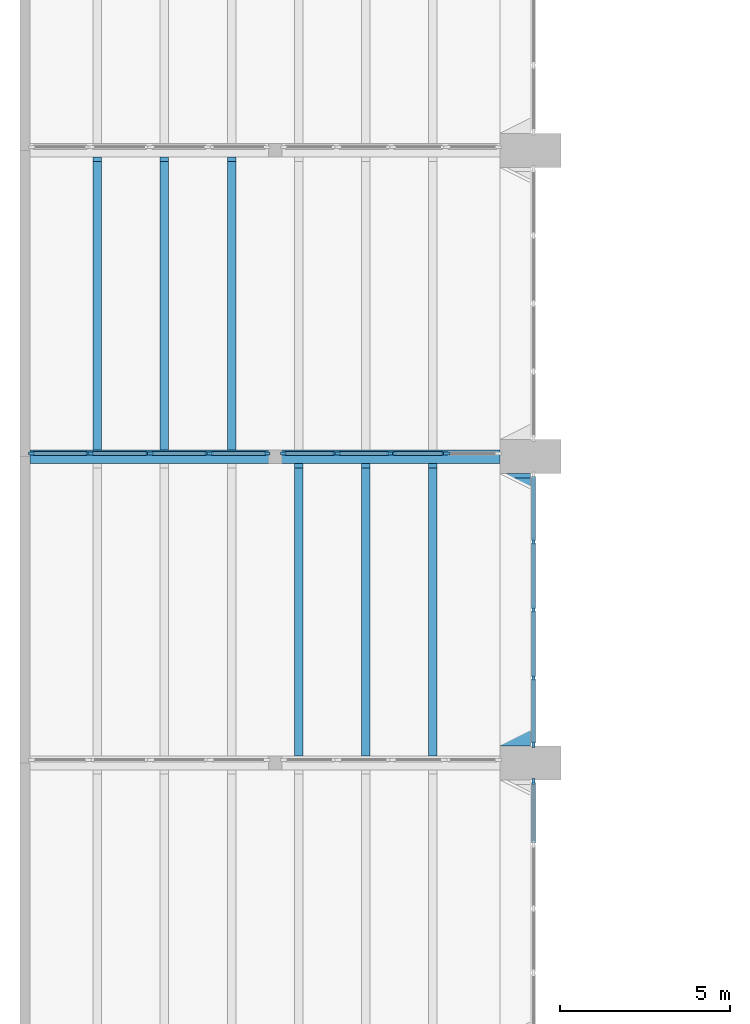
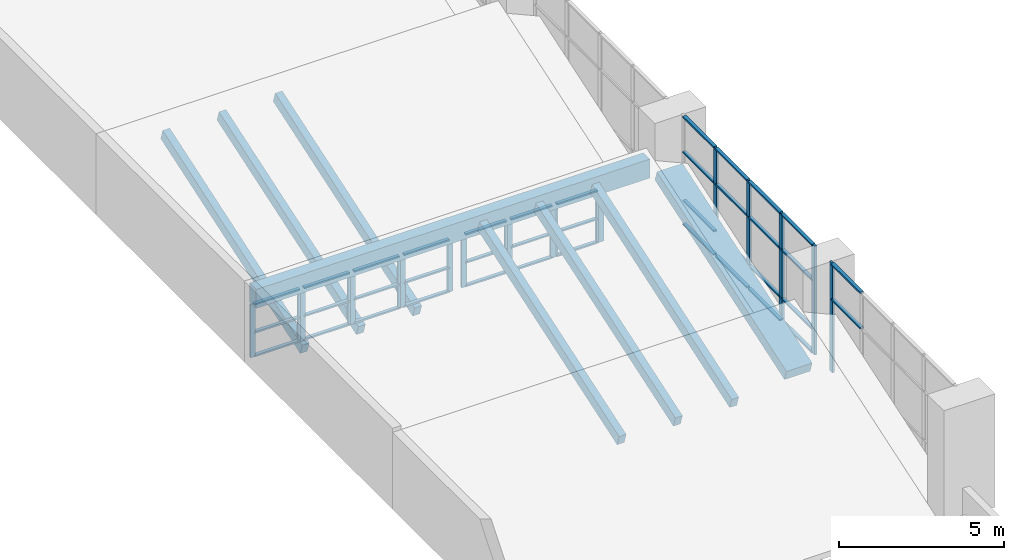
# One storey, part 4 of 43: 59 members, 8 beams, 10 elements without a shape of their own.
"""IFC4 building model written with IfcOpenShell, lengths in metres."""

from ifc_helpers import new_model, si_unit, direction, frame, origin, origin_2d, place, context, subcontext, project, spatial, rectangle, extrude, material, material_profile, profile_set, type_object, element, aggregate, save


model = new_model("IFC4")

# Units and contexts
model_context = context("Model", 3, precision=1e-05, world=origin(), true_north=direction((0.0, 1.0)))
body_context = subcontext(model_context, "Body", "Model", "MODEL_VIEW")
ifc_project = project(units=[si_unit("LENGTHUNIT", "METRE"), si_unit("AREAUNIT", "SQUARE_METRE"), si_unit("VOLUMEUNIT", "CUBIC_METRE"), si_unit("PLANEANGLEUNIT", "RADIAN"), si_unit("MASSUNIT", "GRAM", prefix="KILO")], contexts=[model_context])

# Site, building, storey
site_placement = place(None, origin())
site = spatial("IfcSite", under=ifc_project, at=site_placement, CompositionType="ELEMENT")
building_placement = place(site_placement, origin())
building = spatial("IfcBuilding", under=site, at=building_placement, Name="Elmora Arch Market Hall", CompositionType="ELEMENT")
storey_placement = place(building_placement, frame((0.0, 0.0, 10.199951171875)))
storey = spatial("IfcBuildingStorey", under=building, at=storey_placement, Name="L02", CompositionType="ELEMENT", Elevation=10.199951171875)

# Curtain wall, member
ifc_material_1 = material(Name="Aluminium", Category="aluminium")
curtain_wall_type_1 = type_object("IfcCurtainWallType", Name="Hall front curtain wall", PredefinedType="NOTDEFINED", material=ifc_material_1)
curtain_wall_1_placement = place(storey_placement, origin())
curtain_wall_1 = element("IfcCurtainWall", 1, at=curtain_wall_1_placement, inside=storey, type_object=curtain_wall_type_1, Name="Hall west glazing L02 1", PredefinedType="NOTDEFINED")
ifc_material_2 = material(Name="Aluminium", Category="aluminium")
ifc_material_profile_1 = material_profile(ifc_material_2, rectangle(XDim=0.080078125, YDim=0.179931640625, at=origin_2d()), Name="AL 80x180")
ifc_profile_set_1 = profile_set([ifc_material_profile_1], Name="Aluminium")
member_type_1 = type_object("IfcMemberType", Name="Mullion 80x180", PredefinedType="MULLION", material=ifc_profile_set_1)
member_1_placement = place(storey_placement, frame((15.090087890625, 35.4599609375, 0.166748046875), z_axis=(0.0, 0.0, 1.0), x_axis=(-1.0, 0.0, 0.0)))
member_1 = element("IfcMember", 2, at=member_1_placement, type_object=member_type_1, Name="CW2 mullion 5", PredefinedType="MULLION", context=body_context, shape_type="SweptSolid", body=[
    extrude(rectangle(XDim=0.080078125, YDim=0.179931640625, at=origin_2d()), origin(), (0.0, 0.0, 1.0), 4.033203125),
])

# Curtain wall, members
curtain_wall_2_placement = place(storey_placement, origin())
curtain_wall_2 = element("IfcCurtainWall", 3, at=curtain_wall_2_placement, inside=storey, type_object=curtain_wall_type_1, Name="Hall west glazing L02 2", PredefinedType="NOTDEFINED")
member_2_placement = place(storey_placement, frame((15.090087890625, 36.5400390625, 0.166748046875), z_axis=(0.0, 0.0, 1.0), x_axis=(-1.0, 0.0, 0.0)))
member_2 = element("IfcMember", 4, at=member_2_placement, type_object=member_type_1, Name="CW2 mullion 1", PredefinedType="MULLION", context=body_context, shape_type="SweptSolid", body=[
    extrude(rectangle(XDim=0.080078125, YDim=0.179931640625, at=origin_2d()), origin(), (0.0, 0.0, 1.0), 4.033203125),
])
member_3_placement = place(storey_placement, frame((15.090087890625, 38.5, 0.166748046875), z_axis=(0.0, 0.0, 1.0), x_axis=(-1.0, 0.0, 0.0)))
member_3 = element("IfcMember", 5, at=member_3_placement, type_object=member_type_1, Name="CW2 mullion 2", PredefinedType="MULLION", context=body_context, shape_type="SweptSolid", body=[
    extrude(rectangle(XDim=0.080078125, YDim=0.179931640625, at=origin_2d()), origin(), (0.0, 0.0, 1.0), 4.033203125),
])
member_4_placement = place(storey_placement, frame((15.090087890625, 40.5, 0.166748046875), z_axis=(0.0, 0.0, 1.0), x_axis=(-1.0, 0.0, 0.0)))
member_4 = element("IfcMember", 6, at=member_4_placement, type_object=member_type_1, Name="CW2 mullion 3", PredefinedType="MULLION", context=body_context, shape_type="SweptSolid", body=[
    extrude(rectangle(XDim=0.080078125, YDim=0.179931640625, at=origin_2d()), origin(), (0.0, 0.0, 1.0), 4.033203125),
])
member_5_placement = place(storey_placement, frame((15.090087890625, 42.5, 0.166748046875), z_axis=(0.0, 0.0, 1.0), x_axis=(-1.0, 0.0, 0.0)))
member_5 = element("IfcMember", 7, at=member_5_placement, type_object=member_type_1, Name="CW2 mullion 4", PredefinedType="MULLION", context=body_context, shape_type="SweptSolid", body=[
    extrude(rectangle(XDim=0.080078125, YDim=0.179931640625, at=origin_2d()), origin(), (0.0, 0.0, 1.0), 4.033203125),
])

ifc_material_3 = material(Name="Aluminium", Category="aluminium")
curtain_wall_type_2 = type_object("IfcCurtainWallType", Name="Sawtooth glazing curtain wall", PredefinedType="NOTDEFINED", material=ifc_material_3)
curtain_wall_3_placement = place(storey_placement, origin())
curtain_wall_3 = element("IfcCurtainWall", 8, at=curtain_wall_3_placement, inside=storey, type_object=curtain_wall_type_2, Name="Sawtooth riser 2 part 1.1", PredefinedType="NOTDEFINED")
member_6_placement = place(storey_placement, frame((0.340087890625, 45.090087890625, 0.030029296875), z_axis=(0.0, 0.0, 1.0), x_axis=(0.0, 1.0, 0.0)))
member_6 = element("IfcMember", 9, at=member_6_placement, type_object=member_type_1, Name="CW7 mullion 1", PredefinedType="MULLION", context=body_context, shape_type="SweptSolid", body=[
    extrude(rectangle(XDim=0.080078125, YDim=0.179931640625, at=origin_2d()), origin(), (0.0, 0.0, 1.0), 1.969970703125),
])
member_7_placement = place(storey_placement, frame((2.010009765625, 45.090087890625, 0.030029296875), z_axis=(0.0, 0.0, 1.0), x_axis=(0.0, 1.0, 0.0)))
member_7 = element("IfcMember", 10, at=member_7_placement, type_object=member_type_1, Name="CW7 mullion 2", PredefinedType="MULLION", context=body_context, shape_type="SweptSolid", body=[
    extrude(rectangle(XDim=0.080078125, YDim=0.179931640625, at=origin_2d()), origin(), (0.0, 0.0, 1.0), 1.969970703125),
])

curtain_wall_4_placement = place(storey_placement, origin())
curtain_wall_4 = element("IfcCurtainWall", 11, at=curtain_wall_4_placement, inside=storey, type_object=curtain_wall_type_2, Name="Sawtooth riser 2 part 1.2", PredefinedType="NOTDEFINED")
member_8_placement = place(storey_placement, frame((2.090087890625, 45.090087890625, 0.030029296875), z_axis=(0.0, 0.0, 1.0), x_axis=(0.0, 1.0, 0.0)))
member_8 = element("IfcMember", 12, at=member_8_placement, type_object=member_type_1, Name="CW7 mullion 1", PredefinedType="MULLION", context=body_context, shape_type="SweptSolid", body=[
    extrude(rectangle(XDim=0.080078125, YDim=0.179931640625, at=origin_2d()), origin(), (0.0, 0.0, 1.0), 1.969970703125),
])
member_9_placement = place(storey_placement, frame((3.760009765625, 45.090087890625, 0.030029296875), z_axis=(0.0, 0.0, 1.0), x_axis=(0.0, 1.0, 0.0)))
member_9 = element("IfcMember", 13, at=member_9_placement, type_object=member_type_1, Name="CW7 mullion 2", PredefinedType="MULLION", context=body_context, shape_type="SweptSolid", body=[
    extrude(rectangle(XDim=0.080078125, YDim=0.179931640625, at=origin_2d()), origin(), (0.0, 0.0, 1.0), 1.969970703125),
])

curtain_wall_5_placement = place(storey_placement, origin())
curtain_wall_5 = element("IfcCurtainWall", 14, at=curtain_wall_5_placement, inside=storey, type_object=curtain_wall_type_2, Name="Sawtooth riser 2 part 1.3", PredefinedType="NOTDEFINED")
member_10_placement = place(storey_placement, frame((3.840087890625, 45.090087890625, 0.030029296875), z_axis=(0.0, 0.0, 1.0), x_axis=(0.0, 1.0, 0.0)))
member_10 = element("IfcMember", 15, at=member_10_placement, type_object=member_type_1, Name="CW7 mullion 1", PredefinedType="MULLION", context=body_context, shape_type="SweptSolid", body=[
    extrude(rectangle(XDim=0.080078125, YDim=0.179931640625, at=origin_2d()), origin(), (0.0, 0.0, 1.0), 1.969970703125),
])
member_11_placement = place(storey_placement, frame((5.510009765625, 45.090087890625, 0.030029296875), z_axis=(0.0, 0.0, 1.0), x_axis=(0.0, 1.0, 0.0)))
member_11 = element("IfcMember", 16, at=member_11_placement, type_object=member_type_1, Name="CW7 mullion 2", PredefinedType="MULLION", context=body_context, shape_type="SweptSolid", body=[
    extrude(rectangle(XDim=0.080078125, YDim=0.179931640625, at=origin_2d()), origin(), (0.0, 0.0, 1.0), 1.969970703125),
])

curtain_wall_6_placement = place(storey_placement, origin())
curtain_wall_6 = element("IfcCurtainWall", 17, at=curtain_wall_6_placement, inside=storey, type_object=curtain_wall_type_2, Name="Sawtooth riser 2 part 1.4", PredefinedType="NOTDEFINED")
member_12_placement = place(storey_placement, frame((5.590087890625, 45.090087890625, 0.030029296875), z_axis=(0.0, 0.0, 1.0), x_axis=(0.0, 1.0, 0.0)))
member_12 = element("IfcMember", 18, at=member_12_placement, type_object=member_type_1, Name="CW7 mullion 1", PredefinedType="MULLION", context=body_context, shape_type="SweptSolid", body=[
    extrude(rectangle(XDim=0.080078125, YDim=0.179931640625, at=origin_2d()), origin(), (0.0, 0.0, 1.0), 1.969970703125),
])
member_13_placement = place(storey_placement, frame((7.260009765625, 45.090087890625, 0.030029296875), z_axis=(0.0, 0.0, 1.0), x_axis=(0.0, 1.0, 0.0)))
member_13 = element("IfcMember", 19, at=member_13_placement, type_object=member_type_1, Name="CW7 mullion 2", PredefinedType="MULLION", context=body_context, shape_type="SweptSolid", body=[
    extrude(rectangle(XDim=0.080078125, YDim=0.179931640625, at=origin_2d()), origin(), (0.0, 0.0, 1.0), 1.969970703125),
])

curtain_wall_7_placement = place(storey_placement, origin())
curtain_wall_7 = element("IfcCurtainWall", 20, at=curtain_wall_7_placement, inside=storey, type_object=curtain_wall_type_2, Name="Sawtooth riser 2 part 2.1", PredefinedType="NOTDEFINED")
member_14_placement = place(storey_placement, frame((7.739990234375, 45.090087890625, 0.030029296875), z_axis=(0.0, 0.0, 1.0), x_axis=(0.0, 1.0, 0.0)))
member_14 = element("IfcMember", 21, at=member_14_placement, type_object=member_type_1, Name="CW7 mullion 1", PredefinedType="MULLION", context=body_context, shape_type="SweptSolid", body=[
    extrude(rectangle(XDim=0.080078125, YDim=0.179931640625, at=origin_2d()), origin(), (0.0, 0.0, 1.0), 1.969970703125),
])
member_15_placement = place(storey_placement, frame((9.260009765625, 45.090087890625, 0.030029296875), z_axis=(0.0, 0.0, 1.0), x_axis=(0.0, 1.0, 0.0)))
member_15 = element("IfcMember", 22, at=member_15_placement, type_object=member_type_1, Name="CW7 mullion 2", PredefinedType="MULLION", context=body_context, shape_type="SweptSolid", body=[
    extrude(rectangle(XDim=0.080078125, YDim=0.179931640625, at=origin_2d()), origin(), (0.0, 0.0, 1.0), 1.969970703125),
])

curtain_wall_8_placement = place(storey_placement, origin())
curtain_wall_8 = element("IfcCurtainWall", 23, at=curtain_wall_8_placement, inside=storey, type_object=curtain_wall_type_2, Name="Sawtooth riser 2 part 2.2", PredefinedType="NOTDEFINED")
member_16_placement = place(storey_placement, frame((9.340087890625, 45.090087890625, 0.030029296875), z_axis=(0.0, 0.0, 1.0), x_axis=(0.0, 1.0, 0.0)))
member_16 = element("IfcMember", 24, at=member_16_placement, type_object=member_type_1, Name="CW7 mullion 1", PredefinedType="MULLION", context=body_context, shape_type="SweptSolid", body=[
    extrude(rectangle(XDim=0.080078125, YDim=0.179931640625, at=origin_2d()), origin(), (0.0, 0.0, 1.0), 1.969970703125),
])
member_17_placement = place(storey_placement, frame((10.860107421875, 45.090087890625, 0.030029296875), z_axis=(0.0, 0.0, 1.0), x_axis=(0.0, 1.0, 0.0)))
member_17 = element("IfcMember", 25, at=member_17_placement, type_object=member_type_1, Name="CW7 mullion 2", PredefinedType="MULLION", context=body_context, shape_type="SweptSolid", body=[
    extrude(rectangle(XDim=0.080078125, YDim=0.179931640625, at=origin_2d()), origin(), (0.0, 0.0, 1.0), 1.969970703125),
])

curtain_wall_9_placement = place(storey_placement, origin())
curtain_wall_9 = element("IfcCurtainWall", 26, at=curtain_wall_9_placement, inside=storey, type_object=curtain_wall_type_2, Name="Sawtooth riser 2 part 2.3", PredefinedType="NOTDEFINED")
member_18_placement = place(storey_placement, frame((10.93994140625, 45.090087890625, 0.030029296875), z_axis=(0.0, 0.0, 1.0), x_axis=(0.0, 1.0, 0.0)))
member_18 = element("IfcMember", 27, at=member_18_placement, type_object=member_type_1, Name="CW7 mullion 1", PredefinedType="MULLION", context=body_context, shape_type="SweptSolid", body=[
    extrude(rectangle(XDim=0.080078125, YDim=0.179931640625, at=origin_2d()), origin(), (0.0, 0.0, 1.0), 1.969970703125),
])
member_19_placement = place(storey_placement, frame((12.4599609375, 45.090087890625, 0.030029296875), z_axis=(0.0, 0.0, 1.0), x_axis=(0.0, 1.0, 0.0)))
member_19 = element("IfcMember", 28, at=member_19_placement, type_object=member_type_1, Name="CW7 mullion 2", PredefinedType="MULLION", context=body_context, shape_type="SweptSolid", body=[
    extrude(rectangle(XDim=0.080078125, YDim=0.179931640625, at=origin_2d()), origin(), (0.0, 0.0, 1.0), 1.969970703125),
])

# Curtain wall, member
curtain_wall_10_placement = place(storey_placement, origin())
curtain_wall_10 = element("IfcCurtainWall", 29, at=curtain_wall_10_placement, inside=storey, type_object=curtain_wall_type_2, Name="Sawtooth riser 2 part 2.4", PredefinedType="NOTDEFINED")
member_20_placement = place(storey_placement, frame((12.5400390625, 45.090087890625, 0.030029296875), z_axis=(0.0, 0.0, 1.0), x_axis=(0.0, 1.0, 0.0)))
member_20 = element("IfcMember", 30, at=member_20_placement, type_object=member_type_1, Name="CW7 mullion 1", PredefinedType="MULLION", context=body_context, shape_type="SweptSolid", body=[
    extrude(rectangle(XDim=0.080078125, YDim=0.179931640625, at=origin_2d()), origin(), (0.0, 0.0, 1.0), 1.969970703125),
])
aggregate(curtain_wall_10, [member_20])

# Beams
ifc_material_4 = material(Name="Concrete C32/40", Category="concrete")
ifc_material_profile_2 = material_profile(ifc_material_4, rectangle(XDim=0.39990234375, YDim=0.699951171875, at=origin_2d()), Name="Ridge beam 400x700")
ifc_profile_set_2 = profile_set([ifc_material_profile_2], Name="Concrete C32/40")
beam_type_1 = type_object("IfcBeamType", Name="Ridge beam 400x700", PredefinedType="BEAM", material=ifc_profile_set_2)
beam_1_placement = place(storey_placement, frame((0.300048828125, 45.0, 2.35009765625), z_axis=(1.0, 0.0, 0.0), x_axis=(0.0, 1.0, 0.0)))
element("IfcBeam", 31, at=beam_1_placement, inside=storey, type_object=beam_type_1, Name="Ridge beam RB2 L02.1", PredefinedType="BEAM", context=body_context, shape_type="SweptSolid", body=[
    extrude(rectangle(XDim=0.39990234375, YDim=0.699951171875, at=origin_2d()), origin(), (0.0, 0.0, 1.0), 13.800048828125),
])
ifc_material_5 = material(Name="Concrete C32/40", Category="concrete")
ifc_material_profile_3 = material_profile(ifc_material_5, rectangle(XDim=0.89990234375, YDim=0.39990234375, at=origin_2d()), Name="Sawtooth edge beam 900x400")
ifc_profile_set_3 = profile_set([ifc_material_profile_3], Name="Concrete C32/40")
beam_type_2 = type_object("IfcBeamType", Name="Sawtooth edge beam 900x400", PredefinedType="BEAM", material=ifc_profile_set_3)
beam_2_placement = place(storey_placement, frame((14.550048828125, 36.563232421875, -0.322998046875), z_axis=(0.0, 0.948683298051, 0.316227766017), x_axis=(-1.0, 0.0, 0.0)))
element("IfcBeam", 32, at=beam_2_placement, inside=storey, type_object=beam_type_2, Name="Sawtooth edge beam 2", PredefinedType="BEAM", context=body_context, shape_type="SweptSolid", body=[
    extrude(rectangle(XDim=0.89990234375, YDim=0.39990234375, at=origin_2d()), origin(), (0.0, 0.0, 1.0), 8.29931640625),
])
ifc_material_6 = material(Name="Concrete C32/40", Category="concrete")
ifc_material_profile_4 = material_profile(ifc_material_6, rectangle(XDim=0.25, YDim=0.39990234375, at=origin_2d()), Name="Sawtooth rafter 250x400")
ifc_profile_set_4 = profile_set([ifc_material_profile_4], Name="Concrete C32/40")
beam_type_3 = type_object("IfcBeamType", Name="Sawtooth rafter 250x400", PredefinedType="BEAM", material=ifc_profile_set_4)
for number, where, z_axis, x_axis, name in (
    (33, (8.185791015625, 36.26318359375, -0.443115234375), (0.0, 0.94868603135, 0.316219565999), (-1.0, 0.0, 0.0), "Sawtooth rafter 2.4"),
    (34, (10.156982421875, 36.26318359375, -0.443115234375), (0.0, 0.94868603135, 0.316219565999), (-1.0, 0.0, 0.0), "Sawtooth rafter 2.5"),
    (35, (12.128662109375, 36.26318359375, -0.443115234375), (0.0, 0.94868603135, 0.316219565999), (-1.0, 0.0, 0.0), "Sawtooth rafter 2.6"),
    (36, (2.271484375, 45.26318359375, -0.443115234375), (0.0, 0.94868603135, 0.316219565999), (-1.0, 0.0, 0.0), "Sawtooth rafter 3.1"),
    (37, (4.242919921875, 45.26318359375, -0.443115234375), (0.0, 0.94868603135, 0.316219565999), (-1.0, 0.0, 0.0), "Sawtooth rafter 3.2"),
    (38, (6.21435546875, 45.26318359375, -0.443115234375), (0.0, 0.94868603135, 0.316219565999), (-1.0, 0.0, 0.0), "Sawtooth rafter 3.3"),
):
    element("IfcBeam", number, at=place(storey_placement, frame(where, z_axis=z_axis, x_axis=x_axis)), inside=storey, type_object=beam_type_3, Name=name, PredefinedType="BEAM", context=body_context, shape_type="SweptSolid", body=[
        extrude(rectangle(XDim=0.25, YDim=0.39990234375, at=origin_2d()), origin(), (0.0, 0.0, 1.0), 8.931884765625),
    ])

# Member
ifc_material_7 = material(Name="Aluminium", Category="aluminium")
ifc_material_profile_5 = material_profile(ifc_material_7, rectangle(XDim=0.1201171875, YDim=0.06005859375, at=origin_2d()), Name="AL 120x60")
ifc_profile_set_5 = profile_set([ifc_material_profile_5], Name="Aluminium")
member_type_2 = type_object("IfcMemberType", Name="Transom 120x60", PredefinedType="USERDEFINED", material=ifc_profile_set_5)
member_21_placement = place(storey_placement, frame((15.090087890625, 33.652587890625, 2.86669921875), z_axis=(0.0, 1.0, 0.0), x_axis=(-1.0, 0.0, 0.0)))
member_21 = element("IfcMember", 39, at=member_21_placement, type_object=member_type_2, Name="CW2 transom 4.3", ObjectType="TRANSOM", PredefinedType="USERDEFINED", context=body_context, shape_type="SweptSolid", body=[
    extrude(rectangle(XDim=0.1201171875, YDim=0.06005859375, at=origin_2d()), origin(), (0.0, 0.0, 1.0), 1.767333984375),
])

member_22_placement = place(storey_placement, frame((15.090087890625, 33.652587890625, 4.170166015625), z_axis=(0.0, 1.0, 0.0), x_axis=(-1.0, 0.0, 0.0)))
member_22 = element("IfcMember", 40, at=member_22_placement, type_object=member_type_2, Name="CW2 transom 4.4", ObjectType="TRANSOM", PredefinedType="USERDEFINED", context=body_context, shape_type="SweptSolid", body=[
    extrude(rectangle(XDim=0.1201171875, YDim=0.06005859375, at=origin_2d()), origin(), (0.0, 0.0, 1.0), 1.767333984375),
])

aggregate(curtain_wall_1, [member_1, member_21, member_22])

member_23_placement = place(storey_placement, frame((15.090087890625, 36.580078125, 0.19677734375), z_axis=(0.0, 1.0, 0.0), x_axis=(-1.0, 0.0, 0.0)))
member_23 = element("IfcMember", 41, at=member_23_placement, type_object=member_type_2, Name="CW2 transom 1.1", ObjectType="TRANSOM", PredefinedType="USERDEFINED", context=body_context, shape_type="SweptSolid", body=[
    extrude(rectangle(XDim=0.1201171875, YDim=0.06005859375, at=origin_2d()), origin(), (0.0, 0.0, 1.0), 1.8798828125),
])

member_24_placement = place(storey_placement, frame((15.090087890625, 36.580078125, 1.066650390625), z_axis=(0.0, 1.0, 0.0), x_axis=(-1.0, 0.0, 0.0)))
member_24 = element("IfcMember", 42, at=member_24_placement, type_object=member_type_2, Name="CW2 transom 1.2", ObjectType="TRANSOM", PredefinedType="USERDEFINED", context=body_context, shape_type="SweptSolid", body=[
    extrude(rectangle(XDim=0.1201171875, YDim=0.06005859375, at=origin_2d()), origin(), (0.0, 0.0, 1.0), 1.8798828125),
])

member_25_placement = place(storey_placement, frame((15.090087890625, 36.580078125, 2.86669921875), z_axis=(0.0, 1.0, 0.0), x_axis=(-1.0, 0.0, 0.0)))
member_25 = element("IfcMember", 43, at=member_25_placement, type_object=member_type_2, Name="CW2 transom 1.3", ObjectType="TRANSOM", PredefinedType="USERDEFINED", context=body_context, shape_type="SweptSolid", body=[
    extrude(rectangle(XDim=0.1201171875, YDim=0.06005859375, at=origin_2d()), origin(), (0.0, 0.0, 1.0), 1.8798828125),
])

member_26_placement = place(storey_placement, frame((15.090087890625, 36.580078125, 4.170166015625), z_axis=(0.0, 1.0, 0.0), x_axis=(-1.0, 0.0, 0.0)))
member_26 = element("IfcMember", 44, at=member_26_placement, type_object=member_type_2, Name="CW2 transom 1.4", ObjectType="TRANSOM", PredefinedType="USERDEFINED", context=body_context, shape_type="SweptSolid", body=[
    extrude(rectangle(XDim=0.1201171875, YDim=0.06005859375, at=origin_2d()), origin(), (0.0, 0.0, 1.0), 1.8798828125),
])

member_27_placement = place(storey_placement, frame((15.090087890625, 38.5400390625, 0.19677734375), z_axis=(0.0, 1.0, 0.0), x_axis=(-1.0, 0.0, 0.0)))
member_27 = element("IfcMember", 45, at=member_27_placement, type_object=member_type_2, Name="CW2 transom 2.1", ObjectType="TRANSOM", PredefinedType="USERDEFINED", context=body_context, shape_type="SweptSolid", body=[
    extrude(rectangle(XDim=0.1201171875, YDim=0.06005859375, at=origin_2d()), origin(), (0.0, 0.0, 1.0), 1.919921875),
])

member_28_placement = place(storey_placement, frame((15.090087890625, 38.5400390625, 1.066650390625), z_axis=(0.0, 1.0, 0.0), x_axis=(-1.0, 0.0, 0.0)))
member_28 = element("IfcMember", 46, at=member_28_placement, type_object=member_type_2, Name="CW2 transom 2.2", ObjectType="TRANSOM", PredefinedType="USERDEFINED", context=body_context, shape_type="SweptSolid", body=[
    extrude(rectangle(XDim=0.1201171875, YDim=0.06005859375, at=origin_2d()), origin(), (0.0, 0.0, 1.0), 1.919921875),
])

member_29_placement = place(storey_placement, frame((15.090087890625, 38.5400390625, 2.86669921875), z_axis=(0.0, 1.0, 0.0), x_axis=(-1.0, 0.0, 0.0)))
member_29 = element("IfcMember", 47, at=member_29_placement, type_object=member_type_2, Name="CW2 transom 2.3", ObjectType="TRANSOM", PredefinedType="USERDEFINED", context=body_context, shape_type="SweptSolid", body=[
    extrude(rectangle(XDim=0.1201171875, YDim=0.06005859375, at=origin_2d()), origin(), (0.0, 0.0, 1.0), 1.919921875),
])

member_30_placement = place(storey_placement, frame((15.090087890625, 38.5400390625, 4.170166015625), z_axis=(0.0, 1.0, 0.0), x_axis=(-1.0, 0.0, 0.0)))
member_30 = element("IfcMember", 48, at=member_30_placement, type_object=member_type_2, Name="CW2 transom 2.4", ObjectType="TRANSOM", PredefinedType="USERDEFINED", context=body_context, shape_type="SweptSolid", body=[
    extrude(rectangle(XDim=0.1201171875, YDim=0.06005859375, at=origin_2d()), origin(), (0.0, 0.0, 1.0), 1.919921875),
])

member_31_placement = place(storey_placement, frame((15.090087890625, 40.5400390625, 0.19677734375), z_axis=(0.0, 1.0, 0.0), x_axis=(-1.0, 0.0, 0.0)))
member_31 = element("IfcMember", 49, at=member_31_placement, type_object=member_type_2, Name="CW2 transom 3.1", ObjectType="TRANSOM", PredefinedType="USERDEFINED", context=body_context, shape_type="SweptSolid", body=[
    extrude(rectangle(XDim=0.1201171875, YDim=0.06005859375, at=origin_2d()), origin(), (0.0, 0.0, 1.0), 1.919921875),
])

member_32_placement = place(storey_placement, frame((15.090087890625, 40.5400390625, 1.066650390625), z_axis=(0.0, 1.0, 0.0), x_axis=(-1.0, 0.0, 0.0)))
member_32 = element("IfcMember", 50, at=member_32_placement, type_object=member_type_2, Name="CW2 transom 3.2", ObjectType="TRANSOM", PredefinedType="USERDEFINED", context=body_context, shape_type="SweptSolid", body=[
    extrude(rectangle(XDim=0.1201171875, YDim=0.06005859375, at=origin_2d()), origin(), (0.0, 0.0, 1.0), 1.919921875),
])

member_33_placement = place(storey_placement, frame((15.090087890625, 40.5400390625, 2.86669921875), z_axis=(0.0, 1.0, 0.0), x_axis=(-1.0, 0.0, 0.0)))
member_33 = element("IfcMember", 51, at=member_33_placement, type_object=member_type_2, Name="CW2 transom 3.3", ObjectType="TRANSOM", PredefinedType="USERDEFINED", context=body_context, shape_type="SweptSolid", body=[
    extrude(rectangle(XDim=0.1201171875, YDim=0.06005859375, at=origin_2d()), origin(), (0.0, 0.0, 1.0), 1.919921875),
])

member_34_placement = place(storey_placement, frame((15.090087890625, 40.5400390625, 4.170166015625), z_axis=(0.0, 1.0, 0.0), x_axis=(-1.0, 0.0, 0.0)))
member_34 = element("IfcMember", 52, at=member_34_placement, type_object=member_type_2, Name="CW2 transom 3.4", ObjectType="TRANSOM", PredefinedType="USERDEFINED", context=body_context, shape_type="SweptSolid", body=[
    extrude(rectangle(XDim=0.1201171875, YDim=0.06005859375, at=origin_2d()), origin(), (0.0, 0.0, 1.0), 1.919921875),
])

member_35_placement = place(storey_placement, frame((15.090087890625, 42.5400390625, 0.19677734375), z_axis=(0.0, 1.0, 0.0), x_axis=(-1.0, 0.0, 0.0)))
member_35 = element("IfcMember", 53, at=member_35_placement, type_object=member_type_2, Name="CW2 transom 4.1", ObjectType="TRANSOM", PredefinedType="USERDEFINED", context=body_context, shape_type="SweptSolid", body=[
    extrude(rectangle(XDim=0.1201171875, YDim=0.06005859375, at=origin_2d()), origin(), (0.0, 0.0, 1.0), 1.8798828125),
])

member_36_placement = place(storey_placement, frame((15.090087890625, 42.5400390625, 1.066650390625), z_axis=(0.0, 1.0, 0.0), x_axis=(-1.0, 0.0, 0.0)))
member_36 = element("IfcMember", 54, at=member_36_placement, type_object=member_type_2, Name="CW2 transom 4.2", ObjectType="TRANSOM", PredefinedType="USERDEFINED", context=body_context, shape_type="SweptSolid", body=[
    extrude(rectangle(XDim=0.1201171875, YDim=0.06005859375, at=origin_2d()), origin(), (0.0, 0.0, 1.0), 1.8798828125),
])

member_37_placement = place(storey_placement, frame((15.090087890625, 42.5400390625, 2.86669921875), z_axis=(0.0, 1.0, 0.0), x_axis=(-1.0, 0.0, 0.0)))
member_37 = element("IfcMember", 55, at=member_37_placement, type_object=member_type_2, Name="CW2 transom 4.3", ObjectType="TRANSOM", PredefinedType="USERDEFINED", context=body_context, shape_type="SweptSolid", body=[
    extrude(rectangle(XDim=0.1201171875, YDim=0.06005859375, at=origin_2d()), origin(), (0.0, 0.0, 1.0), 1.8798828125),
])

member_38_placement = place(storey_placement, frame((15.090087890625, 42.5400390625, 4.170166015625), z_axis=(0.0, 1.0, 0.0), x_axis=(-1.0, 0.0, 0.0)))
member_38 = element("IfcMember", 56, at=member_38_placement, type_object=member_type_2, Name="CW2 transom 4.4", ObjectType="TRANSOM", PredefinedType="USERDEFINED", context=body_context, shape_type="SweptSolid", body=[
    extrude(rectangle(XDim=0.1201171875, YDim=0.06005859375, at=origin_2d()), origin(), (0.0, 0.0, 1.0), 1.8798828125),
])

aggregate(curtain_wall_2, [member_2, member_3, member_4, member_5, member_23, member_24, member_25, member_26, member_27, member_28, member_29, member_30, member_31, member_32, member_33, member_34, member_35, member_36, member_37, member_38])

member_39_placement = place(storey_placement, frame((0.3798828125, 45.090087890625, 0.06005859375), z_axis=(1.0, 0.0, 0.0), x_axis=(0.0, 1.0, 0.0)))
member_39 = element("IfcMember", 57, at=member_39_placement, type_object=member_type_2, Name="CW7 transom 1.1", ObjectType="TRANSOM", PredefinedType="USERDEFINED", context=body_context, shape_type="SweptSolid", body=[
    extrude(rectangle(XDim=0.1201171875, YDim=0.06005859375, at=origin_2d()), origin(), (0.0, 0.0, 1.0), 1.590087890625),
])

member_40_placement = place(storey_placement, frame((0.3798828125, 45.090087890625, 0.929931640625), z_axis=(1.0, 0.0, 0.0), x_axis=(0.0, 1.0, 0.0)))
member_40 = element("IfcMember", 58, at=member_40_placement, type_object=member_type_2, Name="CW7 transom 1.2", ObjectType="TRANSOM", PredefinedType="USERDEFINED", context=body_context, shape_type="SweptSolid", body=[
    extrude(rectangle(XDim=0.1201171875, YDim=0.06005859375, at=origin_2d()), origin(), (0.0, 0.0, 1.0), 1.590087890625),
])

member_41_placement = place(storey_placement, frame((0.3798828125, 45.090087890625, 1.969970703125), z_axis=(1.0, 0.0, 0.0), x_axis=(0.0, 1.0, 0.0)))
member_41 = element("IfcMember", 59, at=member_41_placement, type_object=member_type_2, Name="CW7 transom 1.3", ObjectType="TRANSOM", PredefinedType="USERDEFINED", context=body_context, shape_type="SweptSolid", body=[
    extrude(rectangle(XDim=0.1201171875, YDim=0.06005859375, at=origin_2d()), origin(), (0.0, 0.0, 1.0), 1.590087890625),
])

aggregate(curtain_wall_3, [member_6, member_7, member_39, member_40, member_41])

member_42_placement = place(storey_placement, frame((2.1298828125, 45.090087890625, 0.06005859375), z_axis=(1.0, 0.0, 0.0), x_axis=(0.0, 1.0, 0.0)))
member_42 = element("IfcMember", 60, at=member_42_placement, type_object=member_type_2, Name="CW7 transom 1.1", ObjectType="TRANSOM", PredefinedType="USERDEFINED", context=body_context, shape_type="SweptSolid", body=[
    extrude(rectangle(XDim=0.1201171875, YDim=0.06005859375, at=origin_2d()), origin(), (0.0, 0.0, 1.0), 1.590087890625),
])

member_43_placement = place(storey_placement, frame((2.1298828125, 45.090087890625, 0.929931640625), z_axis=(1.0, 0.0, 0.0), x_axis=(0.0, 1.0, 0.0)))
member_43 = element("IfcMember", 61, at=member_43_placement, type_object=member_type_2, Name="CW7 transom 1.2", ObjectType="TRANSOM", PredefinedType="USERDEFINED", context=body_context, shape_type="SweptSolid", body=[
    extrude(rectangle(XDim=0.1201171875, YDim=0.06005859375, at=origin_2d()), origin(), (0.0, 0.0, 1.0), 1.590087890625),
])

member_44_placement = place(storey_placement, frame((2.1298828125, 45.090087890625, 1.969970703125), z_axis=(1.0, 0.0, 0.0), x_axis=(0.0, 1.0, 0.0)))
member_44 = element("IfcMember", 62, at=member_44_placement, type_object=member_type_2, Name="CW7 transom 1.3", ObjectType="TRANSOM", PredefinedType="USERDEFINED", context=body_context, shape_type="SweptSolid", body=[
    extrude(rectangle(XDim=0.1201171875, YDim=0.06005859375, at=origin_2d()), origin(), (0.0, 0.0, 1.0), 1.590087890625),
])

aggregate(curtain_wall_4, [member_8, member_9, member_42, member_43, member_44])

member_45_placement = place(storey_placement, frame((3.8798828125, 45.090087890625, 0.06005859375), z_axis=(1.0, 0.0, 0.0), x_axis=(0.0, 1.0, 0.0)))
member_45 = element("IfcMember", 63, at=member_45_placement, type_object=member_type_2, Name="CW7 transom 1.1", ObjectType="TRANSOM", PredefinedType="USERDEFINED", context=body_context, shape_type="SweptSolid", body=[
    extrude(rectangle(XDim=0.1201171875, YDim=0.06005859375, at=origin_2d()), origin(), (0.0, 0.0, 1.0), 1.590087890625),
])

member_46_placement = place(storey_placement, frame((3.8798828125, 45.090087890625, 0.929931640625), z_axis=(1.0, 0.0, 0.0), x_axis=(0.0, 1.0, 0.0)))
member_46 = element("IfcMember", 64, at=member_46_placement, type_object=member_type_2, Name="CW7 transom 1.2", ObjectType="TRANSOM", PredefinedType="USERDEFINED", context=body_context, shape_type="SweptSolid", body=[
    extrude(rectangle(XDim=0.1201171875, YDim=0.06005859375, at=origin_2d()), origin(), (0.0, 0.0, 1.0), 1.590087890625),
])

member_47_placement = place(storey_placement, frame((3.8798828125, 45.090087890625, 1.969970703125), z_axis=(1.0, 0.0, 0.0), x_axis=(0.0, 1.0, 0.0)))
member_47 = element("IfcMember", 65, at=member_47_placement, type_object=member_type_2, Name="CW7 transom 1.3", ObjectType="TRANSOM", PredefinedType="USERDEFINED", context=body_context, shape_type="SweptSolid", body=[
    extrude(rectangle(XDim=0.1201171875, YDim=0.06005859375, at=origin_2d()), origin(), (0.0, 0.0, 1.0), 1.590087890625),
])

aggregate(curtain_wall_5, [member_10, member_11, member_45, member_46, member_47])

member_48_placement = place(storey_placement, frame((5.6298828125, 45.090087890625, 0.06005859375), z_axis=(1.0, 0.0, 0.0), x_axis=(0.0, 1.0, 0.0)))
member_48 = element("IfcMember", 66, at=member_48_placement, type_object=member_type_2, Name="CW7 transom 1.1", ObjectType="TRANSOM", PredefinedType="USERDEFINED", context=body_context, shape_type="SweptSolid", body=[
    extrude(rectangle(XDim=0.1201171875, YDim=0.06005859375, at=origin_2d()), origin(), (0.0, 0.0, 1.0), 1.590087890625),
])

member_49_placement = place(storey_placement, frame((5.6298828125, 45.090087890625, 0.929931640625), z_axis=(1.0, 0.0, 0.0), x_axis=(0.0, 1.0, 0.0)))
member_49 = element("IfcMember", 67, at=member_49_placement, type_object=member_type_2, Name="CW7 transom 1.2", ObjectType="TRANSOM", PredefinedType="USERDEFINED", context=body_context, shape_type="SweptSolid", body=[
    extrude(rectangle(XDim=0.1201171875, YDim=0.06005859375, at=origin_2d()), origin(), (0.0, 0.0, 1.0), 1.590087890625),
])

member_50_placement = place(storey_placement, frame((5.6298828125, 45.090087890625, 1.969970703125), z_axis=(1.0, 0.0, 0.0), x_axis=(0.0, 1.0, 0.0)))
member_50 = element("IfcMember", 68, at=member_50_placement, type_object=member_type_2, Name="CW7 transom 1.3", ObjectType="TRANSOM", PredefinedType="USERDEFINED", context=body_context, shape_type="SweptSolid", body=[
    extrude(rectangle(XDim=0.1201171875, YDim=0.06005859375, at=origin_2d()), origin(), (0.0, 0.0, 1.0), 1.590087890625),
])

aggregate(curtain_wall_6, [member_12, member_13, member_48, member_49, member_50])

member_51_placement = place(storey_placement, frame((7.780029296875, 45.090087890625, 0.06005859375), z_axis=(1.0, 0.0, 0.0), x_axis=(0.0, 1.0, 0.0)))
member_51 = element("IfcMember", 69, at=member_51_placement, type_object=member_type_2, Name="CW7 transom 1.1", ObjectType="TRANSOM", PredefinedType="USERDEFINED", context=body_context, shape_type="SweptSolid", body=[
    extrude(rectangle(XDim=0.1201171875, YDim=0.06005859375, at=origin_2d()), origin(), (0.0, 0.0, 1.0), 1.43994140625),
])

member_52_placement = place(storey_placement, frame((7.780029296875, 45.090087890625, 0.929931640625), z_axis=(1.0, 0.0, 0.0), x_axis=(0.0, 1.0, 0.0)))
member_52 = element("IfcMember", 70, at=member_52_placement, type_object=member_type_2, Name="CW7 transom 1.2", ObjectType="TRANSOM", PredefinedType="USERDEFINED", context=body_context, shape_type="SweptSolid", body=[
    extrude(rectangle(XDim=0.1201171875, YDim=0.06005859375, at=origin_2d()), origin(), (0.0, 0.0, 1.0), 1.43994140625),
])

member_53_placement = place(storey_placement, frame((7.780029296875, 45.090087890625, 1.969970703125), z_axis=(1.0, 0.0, 0.0), x_axis=(0.0, 1.0, 0.0)))
member_53 = element("IfcMember", 71, at=member_53_placement, type_object=member_type_2, Name="CW7 transom 1.3", ObjectType="TRANSOM", PredefinedType="USERDEFINED", context=body_context, shape_type="SweptSolid", body=[
    extrude(rectangle(XDim=0.1201171875, YDim=0.06005859375, at=origin_2d()), origin(), (0.0, 0.0, 1.0), 1.43994140625),
])

aggregate(curtain_wall_7, [member_14, member_15, member_51, member_52, member_53])

member_54_placement = place(storey_placement, frame((9.3798828125, 45.090087890625, 0.06005859375), z_axis=(1.0, 0.0, 0.0), x_axis=(0.0, 1.0, 0.0)))
member_54 = element("IfcMember", 72, at=member_54_placement, type_object=member_type_2, Name="CW7 transom 1.1", ObjectType="TRANSOM", PredefinedType="USERDEFINED", context=body_context, shape_type="SweptSolid", body=[
    extrude(rectangle(XDim=0.1201171875, YDim=0.06005859375, at=origin_2d()), origin(), (0.0, 0.0, 1.0), 1.440185546875),
])

member_55_placement = place(storey_placement, frame((9.3798828125, 45.090087890625, 0.929931640625), z_axis=(1.0, 0.0, 0.0), x_axis=(0.0, 1.0, 0.0)))
member_55 = element("IfcMember", 73, at=member_55_placement, type_object=member_type_2, Name="CW7 transom 1.2", ObjectType="TRANSOM", PredefinedType="USERDEFINED", context=body_context, shape_type="SweptSolid", body=[
    extrude(rectangle(XDim=0.1201171875, YDim=0.06005859375, at=origin_2d()), origin(), (0.0, 0.0, 1.0), 1.440185546875),
])

member_56_placement = place(storey_placement, frame((9.3798828125, 45.090087890625, 1.969970703125), z_axis=(1.0, 0.0, 0.0), x_axis=(0.0, 1.0, 0.0)))
member_56 = element("IfcMember", 74, at=member_56_placement, type_object=member_type_2, Name="CW7 transom 1.3", ObjectType="TRANSOM", PredefinedType="USERDEFINED", context=body_context, shape_type="SweptSolid", body=[
    extrude(rectangle(XDim=0.1201171875, YDim=0.06005859375, at=origin_2d()), origin(), (0.0, 0.0, 1.0), 1.440185546875),
])

aggregate(curtain_wall_8, [member_16, member_17, member_54, member_55, member_56])

member_57_placement = place(storey_placement, frame((10.97998046875, 45.090087890625, 0.06005859375), z_axis=(1.0, 0.0, 0.0), x_axis=(0.0, 1.0, 0.0)))
member_57 = element("IfcMember", 75, at=member_57_placement, type_object=member_type_2, Name="CW7 transom 1.1", ObjectType="TRANSOM", PredefinedType="USERDEFINED", context=body_context, shape_type="SweptSolid", body=[
    extrude(rectangle(XDim=0.1201171875, YDim=0.06005859375, at=origin_2d()), origin(), (0.0, 0.0, 1.0), 1.43994140625),
])

member_58_placement = place(storey_placement, frame((10.97998046875, 45.090087890625, 0.929931640625), z_axis=(1.0, 0.0, 0.0), x_axis=(0.0, 1.0, 0.0)))
member_58 = element("IfcMember", 76, at=member_58_placement, type_object=member_type_2, Name="CW7 transom 1.2", ObjectType="TRANSOM", PredefinedType="USERDEFINED", context=body_context, shape_type="SweptSolid", body=[
    extrude(rectangle(XDim=0.1201171875, YDim=0.06005859375, at=origin_2d()), origin(), (0.0, 0.0, 1.0), 1.43994140625),
])

member_59_placement = place(storey_placement, frame((10.97998046875, 45.090087890625, 1.969970703125), z_axis=(1.0, 0.0, 0.0), x_axis=(0.0, 1.0, 0.0)))
member_59 = element("IfcMember", 77, at=member_59_placement, type_object=member_type_2, Name="CW7 transom 1.3", ObjectType="TRANSOM", PredefinedType="USERDEFINED", context=body_context, shape_type="SweptSolid", body=[
    extrude(rectangle(XDim=0.1201171875, YDim=0.06005859375, at=origin_2d()), origin(), (0.0, 0.0, 1.0), 1.43994140625),
])

aggregate(curtain_wall_9, [member_18, member_19, member_57, member_58, member_59])

save(model, "model.ifc")
